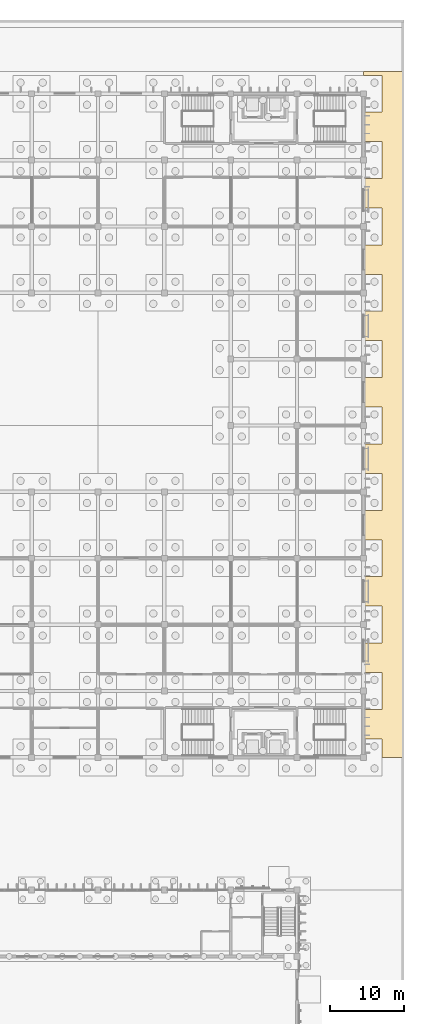
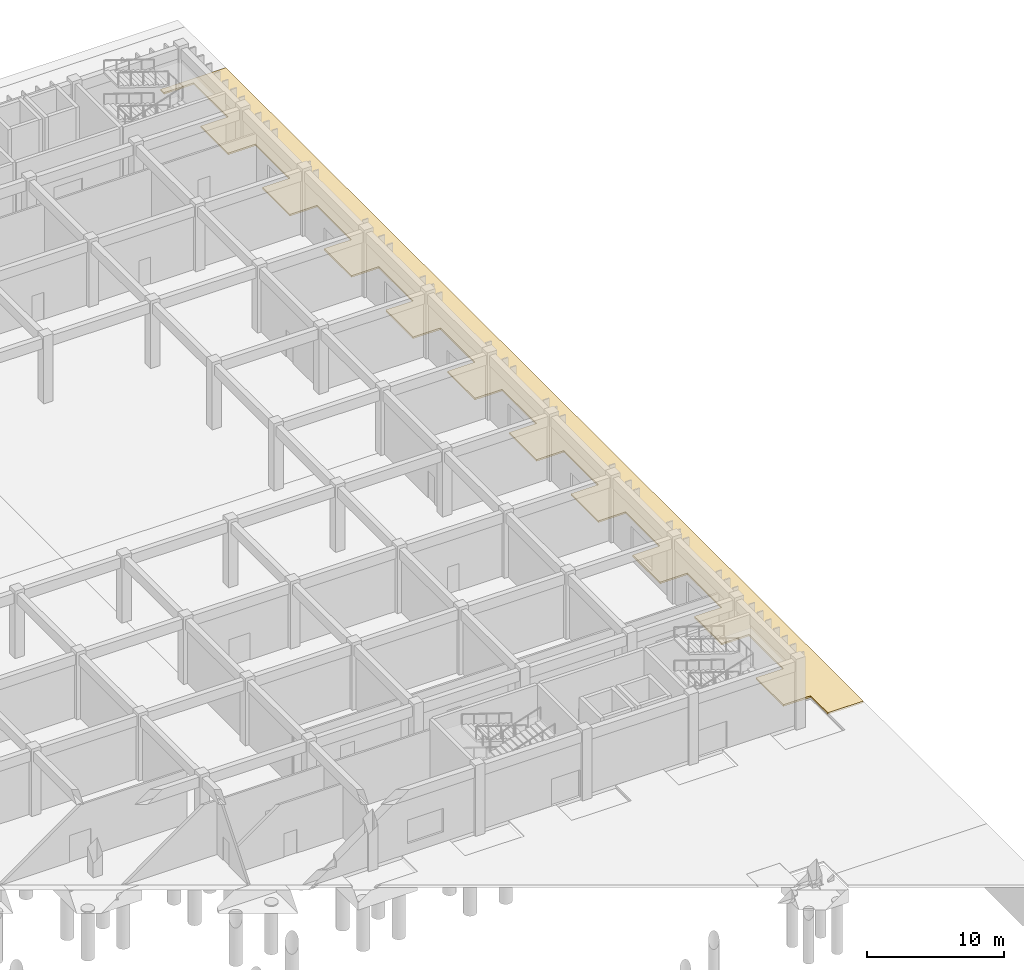
# One storey, part 196 of 198: 1 covering.
"""IFC4 building model written with IfcOpenShell, lengths in metres."""

from ifc_helpers import new_model, si_unit, direction, frame, origin, place, context, subcontext, project, spatial, polyline, outline, extrude, material, layer, layer_set, type_object, element, save


model = new_model("IFC4")

# Units and contexts
model_context = context("Model", 3, precision=1e-05, world=origin(), true_north=direction((0.0, 1.0)))
body_context = subcontext(model_context, "Body", "Model", "MODEL_VIEW")
ifc_project = project(units=[si_unit("LENGTHUNIT", "METRE"), si_unit("AREAUNIT", "SQUARE_METRE"), si_unit("VOLUMEUNIT", "CUBIC_METRE"), si_unit("PLANEANGLEUNIT", "RADIAN"), si_unit("MASSUNIT", "GRAM", prefix="KILO")], contexts=[model_context])

# Site, building, storey
site_placement = place(None, origin())
site = spatial("IfcSite", under=ifc_project, at=site_placement, CompositionType="ELEMENT")
building_placement = place(site_placement, origin())
building = spatial("IfcBuilding", under=site, at=building_placement, Name="Opaline Strait Convention Centre", CompositionType="ELEMENT")
storey_placement = place(building_placement, origin())
storey = spatial("IfcBuildingStorey", under=building, at=storey_placement, Name="L00", CompositionType="ELEMENT", Elevation=0.0)

# Covering
ifc_material = material(Name="Concrete C30 red oxide", Category="concrete")
ifc_layer = layer(ifc_material, 0.14990234375)
ifc_layer_set = layer_set([ifc_layer], Name="Concrete C30 red oxide")
covering_type = type_object("IfcCoveringType", Name="Fire lane concrete paving 150 C30", PredefinedType="FLOORING", material=ifc_layer_set)
covering_placement = place(storey_placement, frame((0.0, 0.0, -0.14990234375)))
element("IfcCovering", 1, at=covering_placement, inside=storey, type_object=covering_type, Name="External Fire Appliance Lane Meeting East surfacing", PredefinedType="FLOORING", context=body_context, shape_type="SweptSolid", body=[
    extrude(outline(polyline([(362.5048828125, 92.5048828125), (362.5048828125, 90.0), (365.5, 90.0), (365.5, 183.0), (360.0, 183.0), (360.0, 182.5048828125), (362.5048828125, 182.5048828125), (362.5048828125, 177.4951171875), (360.205078125, 177.4951171875), (360.205078125, 173.5048828125), (362.5048828125, 173.5048828125), (362.5048828125, 168.4951171875), (360.205078125, 168.4951171875), (360.205078125, 164.5048828125), (362.5048828125, 164.5048828125), (362.5048828125, 159.4951171875), (360.205078125, 159.4951171875), (360.205078125, 155.5048828125), (362.5048828125, 155.5048828125), (362.5048828125, 150.4951171875), (360.205078125, 150.4951171875), (360.205078125, 146.5048828125), (362.5048828125, 146.5048828125), (362.5048828125, 141.4951171875), (360.205078125, 141.4951171875), (360.205078125, 137.5048828125), (362.5048828125, 137.5048828125), (362.5048828125, 132.4951171875), (360.205078125, 132.4951171875), (360.205078125, 128.5048828125), (362.5048828125, 128.5048828125), (362.5048828125, 123.4951171875), (360.205078125, 123.4951171875), (360.205078125, 119.5048828125), (362.5048828125, 119.5048828125), (362.5048828125, 114.4951171875), (360.205078125, 114.4951171875), (360.205078125, 110.5048828125), (362.5048828125, 110.5048828125), (362.5048828125, 105.4951171875), (360.205078125, 105.4951171875), (360.205078125, 101.5048828125), (362.5048828125, 101.5048828125), (362.5048828125, 96.4951171875), (360.205078125, 96.4951171875), (360.205078125, 92.5048828125), (362.5048828125, 92.5048828125)])), origin(), (0.0, 0.0, 1.0), 0.14990234375),
])

save(model, "model.ifc")
